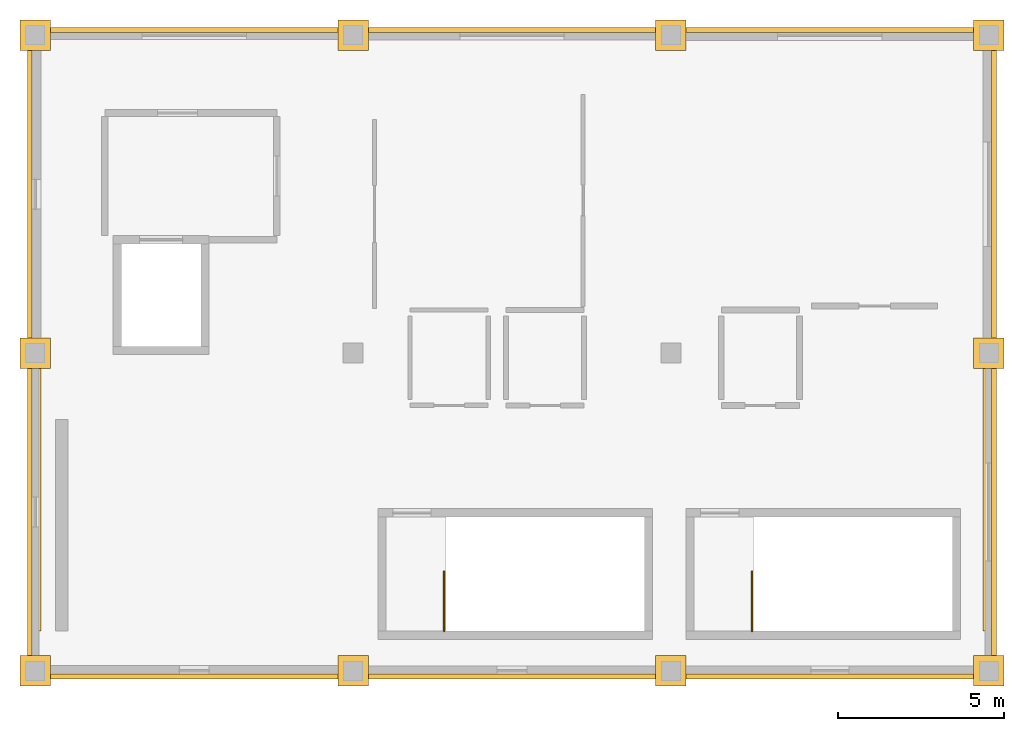
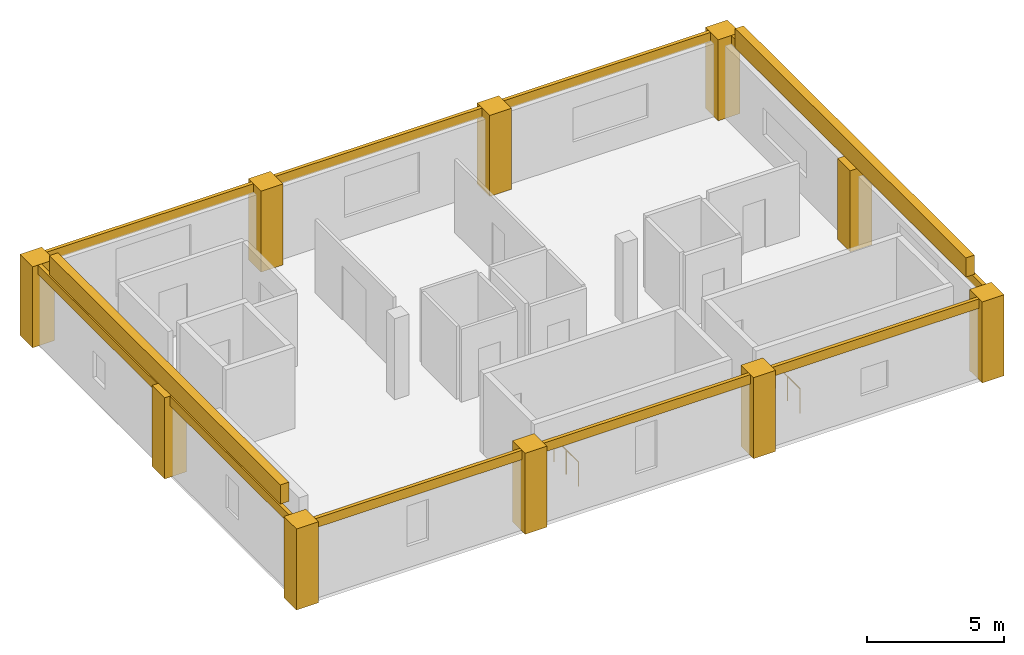
# One storey, part 3 of 3: 22 coverings, 2 railings.
"""IFC4 building model written with IfcOpenShell, lengths in metres."""

from ifc_helpers import new_model, si_unit, direction, frame, origin, origin_2d, place, context, subcontext, project, spatial, polyline, circle, outline, extrude, material, layer, layer_set, type_object, element, save


model = new_model("IFC4")

# Units and contexts
model_context = context("Model", 3, precision=1e-05, world=origin(), true_north=direction((0.0, 1.0)))
body_context = subcontext(model_context, "Body", "Model", "MODEL_VIEW")
ifc_project = project(units=[si_unit("LENGTHUNIT", "METRE"), si_unit("AREAUNIT", "SQUARE_METRE"), si_unit("VOLUMEUNIT", "CUBIC_METRE"), si_unit("PLANEANGLEUNIT", "RADIAN"), si_unit("MASSUNIT", "GRAM", prefix="KILO")], contexts=[model_context])

# Site, building, storey
site_placement = place(None, origin())
site = spatial("IfcSite", under=ifc_project, at=site_placement, CompositionType="ELEMENT")
building_placement = place(site_placement, origin())
building = spatial("IfcBuilding", under=site, at=building_placement, Name="Mavantir Sound Aquarium", CompositionType="ELEMENT")
storey_placement = place(building_placement, frame((0.0, 0.0, 23.39990234375)))
storey = spatial("IfcBuildingStorey", under=building, at=storey_placement, Name="L05", CompositionType="ELEMENT", Elevation=23.39990234375)

# Coverings
ifc_material_1 = material(Name="Honed Coral-Limestone & Glazed Terracotta Rainscreen Cladding", Category="masonry")
ifc_layer = layer(ifc_material_1, 0.06005859375, Name="Honed Coral-Limestone & Glazed Terracotta Rainscreen Cladding")
ifc_layer_set = layer_set([ifc_layer], Name="Honed Coral-Limestone & Glazed Terracotta Rainscreen Cladding")
covering_type = type_object("IfcCoveringType", Name="COV-CLAD-TC", PredefinedType="CLADDING", material=ifc_layer_set)
covering_1_placement = place(storey_placement, frame((0.0, 0.0, 3.1884765625)))
element("IfcCovering", 1, at=covering_1_placement, inside=storey, type_object=covering_type, Name="L05 Postmodern coral-limestone spandrel frieze 494", PredefinedType="CLADDING", context=body_context, shape_type="SweptSolid", body=[
    extrude(outline(polyline([(28.889892578125, 83.907958984375), (28.889892578125, 92.89208984375), (29.0400390625, 92.89208984375), (29.0400390625, 83.907958984375), (28.889892578125, 83.907958984375)])), origin(), (0.0, 0.0, 1.0), 0.41162109375),
])
covering_2_placement = place(storey_placement, frame((0.0, 0.0, 3.1884765625)))
element("IfcCovering", 2, at=covering_2_placement, inside=storey, type_object=covering_type, Name="L05 Postmodern coral-limestone spandrel frieze 495", PredefinedType="CLADDING", context=body_context, shape_type="SweptSolid", body=[
    extrude(outline(polyline([(28.889892578125, 93.508056640625), (28.889892578125, 102.491943359375), (29.0400390625, 102.491943359375), (29.0400390625, 93.508056640625), (28.889892578125, 93.508056640625)])), origin(), (0.0, 0.0, 1.0), 0.41162109375),
])
covering_3_placement = place(storey_placement, frame((0.0, 0.0, 3.1884765625)))
element("IfcCovering", 3, at=covering_3_placement, inside=storey, type_object=covering_type, Name="L05 Postmodern coral-limestone spandrel frieze 496", PredefinedType="CLADDING", context=body_context, shape_type="SweptSolid", body=[
    extrude(outline(polyline([(28.491943359375, 102.889892578125), (19.508056640625, 102.889892578125), (19.508056640625, 103.0400390625), (28.491943359375, 103.0400390625), (28.491943359375, 102.889892578125)])), origin(), (0.0, 0.0, 1.0), 0.41162109375),
])
covering_4_placement = place(storey_placement, frame((0.0, 0.0, 3.1884765625)))
element("IfcCovering", 4, at=covering_4_placement, inside=storey, type_object=covering_type, Name="L05 Postmodern coral-limestone spandrel frieze 497", PredefinedType="CLADDING", context=body_context, shape_type="SweptSolid", body=[
    extrude(outline(polyline([(18.89208984375, 102.889892578125), (9.907958984375, 102.889892578125), (9.907958984375, 103.0400390625), (18.89208984375, 103.0400390625), (18.89208984375, 102.889892578125)])), origin(), (0.0, 0.0, 1.0), 0.41162109375),
])
covering_5_placement = place(storey_placement, frame((0.0, 0.0, 3.1884765625)))
element("IfcCovering", 5, at=covering_5_placement, inside=storey, type_object=covering_type, Name="L05 Postmodern coral-limestone spandrel frieze 498", PredefinedType="CLADDING", context=body_context, shape_type="SweptSolid", body=[
    extrude(outline(polyline([(9.2919921875, 102.889892578125), (0.30810546875, 102.889892578125), (0.30810546875, 103.0400390625), (9.2919921875, 103.0400390625), (9.2919921875, 102.889892578125)])), origin(), (0.0, 0.0, 1.0), 0.41162109375),
])
covering_6_placement = place(storey_placement, frame((0.0, 0.0, 3.1884765625)))
element("IfcCovering", 6, at=covering_6_placement, inside=storey, type_object=covering_type, Name="L05 Postmodern coral-limestone spandrel frieze 499", PredefinedType="CLADDING", context=body_context, shape_type="SweptSolid", body=[
    extrude(outline(polyline([(-0.090087890625, 102.491943359375), (-0.090087890625, 93.508056640625), (-0.239990234375, 93.508056640625), (-0.239990234375, 102.491943359375), (-0.090087890625, 102.491943359375)])), origin(), (0.0, 0.0, 1.0), 0.41162109375),
])
covering_7_placement = place(storey_placement, frame((0.0, 0.0, 3.1884765625)))
element("IfcCovering", 7, at=covering_7_placement, inside=storey, type_object=covering_type, Name="L05 Postmodern coral-limestone spandrel frieze 500", PredefinedType="CLADDING", context=body_context, shape_type="SweptSolid", body=[
    extrude(outline(polyline([(-0.090087890625, 92.89208984375), (-0.090087890625, 83.907958984375), (-0.239990234375, 83.907958984375), (-0.239990234375, 92.89208984375), (-0.090087890625, 92.89208984375)])), origin(), (0.0, 0.0, 1.0), 0.41162109375),
])
covering_8_placement = place(storey_placement, frame((0.0, 0.0, 3.1884765625)))
element("IfcCovering", 8, at=covering_8_placement, inside=storey, type_object=covering_type, Name="L05 Postmodern coral-limestone spandrel frieze 501", PredefinedType="CLADDING", context=body_context, shape_type="SweptSolid", body=[
    extrude(outline(polyline([(0.30810546875, 83.510009765625), (9.2919921875, 83.510009765625), (9.2919921875, 83.360107421875), (0.30810546875, 83.360107421875), (0.30810546875, 83.510009765625)])), origin(), (0.0, 0.0, 1.0), 0.41162109375),
])
covering_9_placement = place(storey_placement, frame((0.0, 0.0, 3.1884765625)))
element("IfcCovering", 9, at=covering_9_placement, inside=storey, type_object=covering_type, Name="L05 Postmodern coral-limestone spandrel frieze 502", PredefinedType="CLADDING", context=body_context, shape_type="SweptSolid", body=[
    extrude(outline(polyline([(9.907958984375, 83.510009765625), (18.89208984375, 83.510009765625), (18.89208984375, 83.360107421875), (9.907958984375, 83.360107421875), (9.907958984375, 83.510009765625)])), origin(), (0.0, 0.0, 1.0), 0.41162109375),
])
covering_10_placement = place(storey_placement, frame((0.0, 0.0, 3.1884765625)))
element("IfcCovering", 10, at=covering_10_placement, inside=storey, type_object=covering_type, Name="L05 Postmodern coral-limestone spandrel frieze 503", PredefinedType="CLADDING", context=body_context, shape_type="SweptSolid", body=[
    extrude(outline(polyline([(19.508056640625, 83.510009765625), (28.491943359375, 83.510009765625), (28.491943359375, 83.360107421875), (19.508056640625, 83.360107421875), (19.508056640625, 83.510009765625)])), origin(), (0.0, 0.0, 1.0), 0.41162109375),
])
covering_11_placement = place(storey_placement, origin())
element("IfcCovering", 11, at=covering_11_placement, inside=storey, type_object=covering_type, Name="L05 Postmodern coral-limestone pilaster casing 348", PredefinedType="CLADDING", context=body_context, shape_type="SweptSolid", body=[
    extrude(outline(polyline([(-0.4599609375, 83.139892578125), (0.4599609375, 83.139892578125), (0.4599609375, 84.06005859375), (-0.4599609375, 84.06005859375), (-0.4599609375, 83.139892578125)])), origin(), (0.0, 0.0, 1.0), 3.60009765625),
])
covering_12_placement = place(storey_placement, origin())
element("IfcCovering", 12, at=covering_12_placement, inside=storey, type_object=covering_type, Name="L05 Postmodern coral-limestone pilaster casing 354", PredefinedType="CLADDING", context=body_context, shape_type="SweptSolid", body=[
    extrude(outline(polyline([(-0.4599609375, 92.739990234375), (0.4599609375, 92.739990234375), (0.4599609375, 93.659912109375), (-0.4599609375, 93.659912109375), (-0.4599609375, 92.739990234375)])), origin(), (0.0, 0.0, 1.0), 3.60009765625),
])
covering_13_placement = place(storey_placement, origin())
element("IfcCovering", 13, at=covering_13_placement, inside=storey, type_object=covering_type, Name="L05 Postmodern coral-limestone pilaster casing 360", PredefinedType="CLADDING", context=body_context, shape_type="SweptSolid", body=[
    extrude(outline(polyline([(-0.4599609375, 102.340087890625), (0.4599609375, 102.340087890625), (0.4599609375, 103.260009765625), (-0.4599609375, 103.260009765625), (-0.4599609375, 102.340087890625)])), origin(), (0.0, 0.0, 1.0), 3.60009765625),
])
covering_14_placement = place(storey_placement, origin())
element("IfcCovering", 14, at=covering_14_placement, inside=storey, type_object=covering_type, Name="L05 Postmodern coral-limestone pilaster casing 371", PredefinedType="CLADDING", context=body_context, shape_type="SweptSolid", body=[
    extrude(outline(polyline([(9.139892578125, 83.139892578125), (10.06005859375, 83.139892578125), (10.06005859375, 84.06005859375), (9.139892578125, 84.06005859375), (9.139892578125, 83.139892578125)])), origin(), (0.0, 0.0, 1.0), 3.60009765625),
])
covering_15_placement = place(storey_placement, origin())
element("IfcCovering", 15, at=covering_15_placement, inside=storey, type_object=covering_type, Name="L05 Postmodern coral-limestone pilaster casing 374", PredefinedType="CLADDING", context=body_context, shape_type="SweptSolid", body=[
    extrude(outline(polyline([(9.139892578125, 102.340087890625), (10.06005859375, 102.340087890625), (10.06005859375, 103.260009765625), (9.139892578125, 103.260009765625), (9.139892578125, 102.340087890625)])), origin(), (0.0, 0.0, 1.0), 3.60009765625),
])
covering_16_placement = place(storey_placement, origin())
element("IfcCovering", 16, at=covering_16_placement, inside=storey, type_object=covering_type, Name="L05 Postmodern coral-limestone pilaster casing 383", PredefinedType="CLADDING", context=body_context, shape_type="SweptSolid", body=[
    extrude(outline(polyline([(18.739990234375, 83.139892578125), (19.659912109375, 83.139892578125), (19.659912109375, 84.06005859375), (18.739990234375, 84.06005859375), (18.739990234375, 83.139892578125)])), origin(), (0.0, 0.0, 1.0), 3.60009765625),
])
covering_17_placement = place(storey_placement, origin())
element("IfcCovering", 17, at=covering_17_placement, inside=storey, type_object=covering_type, Name="L05 Postmodern coral-limestone pilaster casing 386", PredefinedType="CLADDING", context=body_context, shape_type="SweptSolid", body=[
    extrude(outline(polyline([(18.739990234375, 102.340087890625), (19.659912109375, 102.340087890625), (19.659912109375, 103.260009765625), (18.739990234375, 103.260009765625), (18.739990234375, 102.340087890625)])), origin(), (0.0, 0.0, 1.0), 3.60009765625),
])
covering_18_placement = place(storey_placement, origin())
element("IfcCovering", 18, at=covering_18_placement, inside=storey, type_object=covering_type, Name="L05 Postmodern coral-limestone pilaster casing 395", PredefinedType="CLADDING", context=body_context, shape_type="SweptSolid", body=[
    extrude(outline(polyline([(28.340087890625, 83.139892578125), (29.260009765625, 83.139892578125), (29.260009765625, 84.06005859375), (28.340087890625, 84.06005859375), (28.340087890625, 83.139892578125)])), origin(), (0.0, 0.0, 1.0), 3.60009765625),
])
covering_19_placement = place(storey_placement, origin())
element("IfcCovering", 19, at=covering_19_placement, inside=storey, type_object=covering_type, Name="L05 Postmodern coral-limestone pilaster casing 399", PredefinedType="CLADDING", context=body_context, shape_type="SweptSolid", body=[
    extrude(outline(polyline([(28.340087890625, 92.739990234375), (29.260009765625, 92.739990234375), (29.260009765625, 93.659912109375), (28.340087890625, 93.659912109375), (28.340087890625, 92.739990234375)])), origin(), (0.0, 0.0, 1.0), 3.60009765625),
])
covering_20_placement = place(storey_placement, origin())
element("IfcCovering", 20, at=covering_20_placement, inside=storey, type_object=covering_type, Name="L05 Postmodern coral-limestone pilaster casing 403", PredefinedType="CLADDING", context=body_context, shape_type="SweptSolid", body=[
    extrude(outline(polyline([(28.340087890625, 102.340087890625), (29.260009765625, 102.340087890625), (29.260009765625, 103.260009765625), (28.340087890625, 103.260009765625), (28.340087890625, 102.340087890625)])), origin(), (0.0, 0.0, 1.0), 3.60009765625),
])
covering_21_placement = place(storey_placement, frame((0.0, 0.0, 3.60009765625)))
element("IfcCovering", 21, at=covering_21_placement, inside=storey, type_object=covering_type, Name="L05 Postmodern coral-limestone tympanum closure V5-TYM-W", PredefinedType="CLADDING", context=body_context, shape_type="SweptSolid", body=[
    extrude(outline(polyline([(-0.179931640625, 84.800048828125), (0.179931640625, 84.800048828125), (0.179931640625, 101.60009765625), (-0.179931640625, 101.60009765625), (-0.179931640625, 84.800048828125)])), origin(), (0.0, 0.0, 1.0), 0.85009765625),
])
covering_22_placement = place(storey_placement, frame((0.0, 0.0, 3.60009765625)))
element("IfcCovering", 22, at=covering_22_placement, inside=storey, type_object=covering_type, Name="L05 Postmodern coral-limestone tympanum closure V5-TYM-E", PredefinedType="CLADDING", context=body_context, shape_type="SweptSolid", body=[
    extrude(outline(polyline([(28.6201171875, 84.800048828125), (28.97998046875, 84.800048828125), (28.97998046875, 101.60009765625), (28.6201171875, 101.60009765625), (28.6201171875, 84.800048828125)])), origin(), (0.0, 0.0, 1.0), 0.85009765625),
])

# Railings
ifc_material_2 = material(Name="Stainless Steel 316 and Laminated Glass Guardrail", Category="steel")
railing_type = type_object("IfcRailingType", Name="RL-GUARD-110", PredefinedType="GUARDRAIL", material=ifc_material_2)
for number, where, name in (
    (23, (12.35009765625, 84.800048828125, 0.0), "L05 ST5 top well guard 1"),
    (24, (21.64990234375, 84.800048828125, 0.0), "L05 ST7 top well guard 1"),
):
    element("IfcRailing", number, at=place(storey_placement, frame(where)), inside=storey, type_object=railing_type, Name=name, PredefinedType="GUARDRAIL", context=body_context, shape_type="SweptSolid", body=[
        extrude(circle(Radius=0.02392578125, at=origin_2d()), frame((0.0, 0.0, 1.076171875), z_axis=(0.0, 1.0, 0.0), x_axis=(-1.0, 0.0, 0.0)), (0.0, 0.0, 1.0), 1.800048828125),
        extrude(circle(Radius=0.02099609375, at=origin_2d()), origin(), (0.0, 0.0, 1.0), 1.052001953125),
        extrude(circle(Radius=0.02099609375, at=origin_2d()), frame((0.0, 0.89990234375, 0.0)), (0.0, 0.0, 1.0), 1.052001953125),
        extrude(circle(Radius=0.02099609375, at=origin_2d()), frame((0.0, 1.800048828125, 0.0)), (0.0, 0.0, 1.0), 1.052001953125),
    ])

save(model, "model.ifc")
